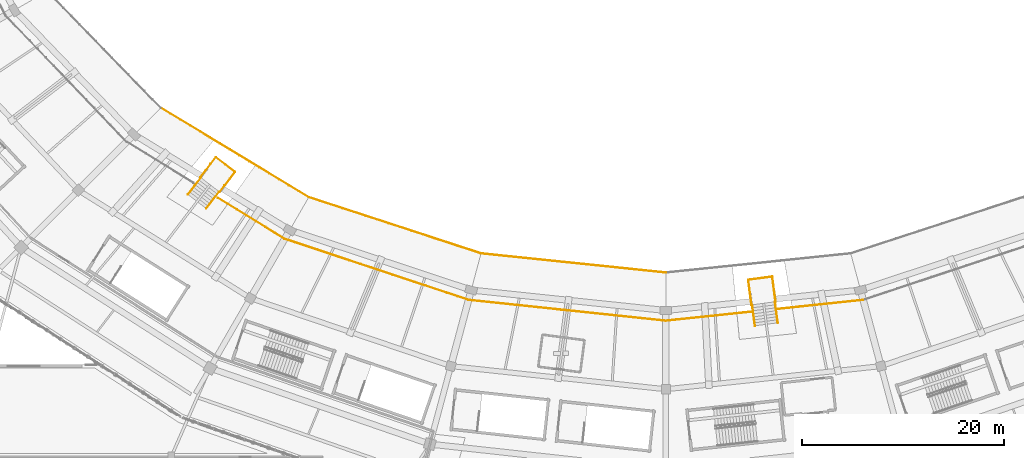
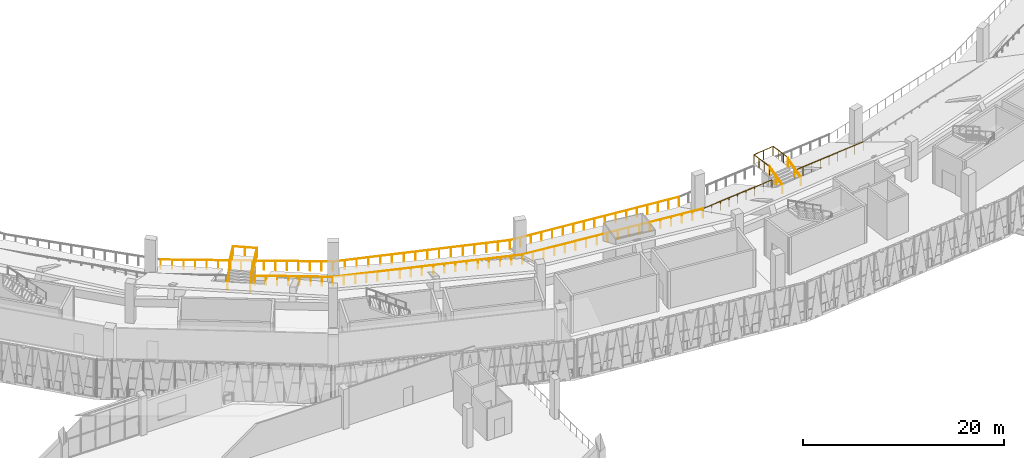
# One storey, part 119 of 152: 22 railings.
"""IFC4 building model written with IfcOpenShell, lengths in metres."""

from ifc_helpers import new_model, si_unit, direction, frame, origin, origin_2d, place, context, subcontext, project, spatial, circle, extrude, material, type_object, element, save


model = new_model("IFC4")

# Units and contexts
model_context = context("Model", 3, precision=1e-05, world=origin(), true_north=direction((0.0, 1.0)))
body_context = subcontext(model_context, "Body", "Model", "MODEL_VIEW")
ifc_project = project(units=[si_unit("LENGTHUNIT", "METRE"), si_unit("AREAUNIT", "SQUARE_METRE"), si_unit("VOLUMEUNIT", "CUBIC_METRE"), si_unit("PLANEANGLEUNIT", "RADIAN"), si_unit("MASSUNIT", "GRAM", prefix="KILO")], contexts=[model_context])

# Site, building, storey
site_placement = place(None, origin())
site = spatial("IfcSite", under=ifc_project, at=site_placement, CompositionType="ELEMENT")
building_placement = place(site_placement, origin())
building = spatial("IfcBuilding", under=site, at=building_placement, Name="Zevraka Park Crest Stadium", CompositionType="ELEMENT")
storey_placement = place(building_placement, frame((0.0, 0.0, 15.0)))
storey = spatial("IfcBuildingStorey", under=building, at=storey_placement, Name="L03", CompositionType="ELEMENT", Elevation=15.0)

# Railings
ifc_material_1 = material(Name="Galvanised and bronze-finished steel balustrade", Category="steel")
railing_type_1 = type_object("IfcRailingType", Name="GR01", PredefinedType="GUARDRAIL", material=ifc_material_1)
railing_1_placement = place(storey_placement, frame((74.23193359375, 39.593017578125, 0.0)))
element("IfcRailing", 1, at=railing_1_placement, inside=storey, type_object=railing_type_1, Name="Deck Edge Protection Guardrail GR01 L03-53", PredefinedType="GUARDRAIL", context=body_context, shape_type="SweptSolid", body=[
    extrude(circle(Radius=0.02392578125, at=origin_2d()), frame((0.0, 0.0, 1.076171875), z_axis=(0.949079002754, -0.315038166784, 0.0), x_axis=(0.315038166784, 0.949079002754, 0.0)), (0.0, 0.0, 1.0), 19.21337890625),
    extrude(circle(Radius=0.02099609375, at=origin_2d()), origin(), (0.0, 0.0, 1.0), 1.052001953125),
    extrude(circle(Radius=0.02099609375, at=origin_2d()), frame((1.07275390625, -0.35595703125, 0.0)), (0.0, 0.0, 1.0), 1.052001953125),
    extrude(circle(Radius=0.02099609375, at=origin_2d()), frame((2.145263671875, -0.712158203125, 0.0)), (0.0, 0.0, 1.0), 1.052001953125),
    extrude(circle(Radius=0.02099609375, at=origin_2d()), frame((3.218017578125, -1.068115234375, 0.0)), (0.0, 0.0, 1.0), 1.052001953125),
    extrude(circle(Radius=0.02099609375, at=origin_2d()), frame((4.29052734375, -1.42431640625, 0.0)), (0.0, 0.0, 1.0), 1.052001953125),
    extrude(circle(Radius=0.02099609375, at=origin_2d()), frame((5.36328125, -1.7802734375, 0.0)), (0.0, 0.0, 1.0), 1.052001953125),
    extrude(circle(Radius=0.02099609375, at=origin_2d()), frame((6.43603515625, -2.13623046875, 0.0)), (0.0, 0.0, 1.0), 1.052001953125),
    extrude(circle(Radius=0.02099609375, at=origin_2d()), frame((7.508544921875, -2.492431640625, 0.0)), (0.0, 0.0, 1.0), 1.052001953125),
    extrude(circle(Radius=0.02099609375, at=origin_2d()), frame((8.581298828125, -2.848388671875, 0.0)), (0.0, 0.0, 1.0), 1.052001953125),
    extrude(circle(Radius=0.02099609375, at=origin_2d()), frame((9.65380859375, -3.20458984375, 0.0)), (0.0, 0.0, 1.0), 1.052001953125),
    extrude(circle(Radius=0.02099609375, at=origin_2d()), frame((10.7265625, -3.560546875, 0.0)), (0.0, 0.0, 1.0), 1.052001953125),
    extrude(circle(Radius=0.02099609375, at=origin_2d()), frame((11.799072265625, -3.916748046875, 0.0)), (0.0, 0.0, 1.0), 1.052001953125),
    extrude(circle(Radius=0.02099609375, at=origin_2d()), frame((12.871826171875, -4.272705078125, 0.0)), (0.0, 0.0, 1.0), 1.052001953125),
    extrude(circle(Radius=0.02099609375, at=origin_2d()), frame((13.944580078125, -4.628662109375, 0.0)), (0.0, 0.0, 1.0), 1.052001953125),
    extrude(circle(Radius=0.02099609375, at=origin_2d()), frame((15.01708984375, -4.98486328125, 0.0)), (0.0, 0.0, 1.0), 1.052001953125),
    extrude(circle(Radius=0.02099609375, at=origin_2d()), frame((16.08984375, -5.3408203125, 0.0)), (0.0, 0.0, 1.0), 1.052001953125),
    extrude(circle(Radius=0.02099609375, at=origin_2d()), frame((17.162353515625, -5.697021484375, 0.0)), (0.0, 0.0, 1.0), 1.052001953125),
    extrude(circle(Radius=0.02099609375, at=origin_2d()), frame((18.235107421875, -6.052978515625, 0.0)), (0.0, 0.0, 1.0), 1.052001953125),
])
railing_2_placement = place(storey_placement, frame((92.467041015625, 33.5400390625, 0.0)))
element("IfcRailing", 2, at=railing_2_placement, inside=storey, type_object=railing_type_1, Name="Deck Edge Protection Guardrail GR01 L03-54", PredefinedType="GUARDRAIL", context=body_context, shape_type="SweptSolid", body=[
    extrude(circle(Radius=0.02392578125, at=origin_2d()), frame((0.0, 0.0, 1.076171875), z_axis=(0.994482266798, -0.104904818883, 0.0), x_axis=(0.104904818883, 0.994482266798, 0.0)), (0.0, 0.0, 1.0), 19.637451171875),
    extrude(circle(Radius=0.02099609375, at=origin_2d()), origin(), (0.0, 0.0, 1.0), 1.052001953125),
    extrude(circle(Radius=0.02099609375, at=origin_2d()), frame((1.148681640625, -0.12109375, 0.0)), (0.0, 0.0, 1.0), 1.052001953125),
    extrude(circle(Radius=0.02099609375, at=origin_2d()), frame((2.297607421875, -0.242431640625, 0.0)), (0.0, 0.0, 1.0), 1.052001953125),
    extrude(circle(Radius=0.02099609375, at=origin_2d()), frame((3.4462890625, -0.363525390625, 0.0)), (0.0, 0.0, 1.0), 1.052001953125),
    extrude(circle(Radius=0.02099609375, at=origin_2d()), frame((4.594970703125, -0.484619140625, 0.0)), (0.0, 0.0, 1.0), 1.052001953125),
    extrude(circle(Radius=0.02099609375, at=origin_2d()), frame((5.743896484375, -0.60595703125, 0.0)), (0.0, 0.0, 1.0), 1.052001953125),
    extrude(circle(Radius=0.02099609375, at=origin_2d()), frame((6.892578125, -0.72705078125, 0.0)), (0.0, 0.0, 1.0), 1.052001953125),
    extrude(circle(Radius=0.02099609375, at=origin_2d()), frame((8.041259765625, -0.84814453125, 0.0)), (0.0, 0.0, 1.0), 1.052001953125),
    extrude(circle(Radius=0.02099609375, at=origin_2d()), frame((9.190185546875, -0.969482421875, 0.0)), (0.0, 0.0, 1.0), 1.052001953125),
    extrude(circle(Radius=0.02099609375, at=origin_2d()), frame((10.3388671875, -1.090576171875, 0.0)), (0.0, 0.0, 1.0), 1.052001953125),
    extrude(circle(Radius=0.02099609375, at=origin_2d()), frame((11.48779296875, -1.2119140625, 0.0)), (0.0, 0.0, 1.0), 1.052001953125),
    extrude(circle(Radius=0.02099609375, at=origin_2d()), frame((12.636474609375, -1.3330078125, 0.0)), (0.0, 0.0, 1.0), 1.052001953125),
    extrude(circle(Radius=0.02099609375, at=origin_2d()), frame((13.78515625, -1.4541015625, 0.0)), (0.0, 0.0, 1.0), 1.052001953125),
    extrude(circle(Radius=0.02099609375, at=origin_2d()), frame((14.93408203125, -1.575439453125, 0.0)), (0.0, 0.0, 1.0), 1.052001953125),
    extrude(circle(Radius=0.02099609375, at=origin_2d()), frame((16.082763671875, -1.696533203125, 0.0)), (0.0, 0.0, 1.0), 1.052001953125),
    extrude(circle(Radius=0.02099609375, at=origin_2d()), frame((17.2314453125, -1.817626953125, 0.0)), (0.0, 0.0, 1.0), 1.052001953125),
    extrude(circle(Radius=0.02099609375, at=origin_2d()), frame((18.38037109375, -1.93896484375, 0.0)), (0.0, 0.0, 1.0), 1.052001953125),
    extrude(circle(Radius=0.02099609375, at=origin_2d()), frame((19.529052734375, -2.06005859375, 0.0)), (0.0, 0.0, 1.0), 1.052001953125),
])
railing_3_placement = place(storey_placement, frame((111.99609375, 31.47998046875, 0.0)))
element("IfcRailing", 3, at=railing_3_placement, inside=storey, type_object=railing_type_1, Name="Deck Edge Protection Guardrail GR01 L03-55", PredefinedType="GUARDRAIL", context=body_context, shape_type="SweptSolid", body=[
    extrude(circle(Radius=0.02392578125, at=origin_2d()), frame((0.0, 0.0, 1.076171875), z_axis=(0.994486553232, 0.104864176158, 0.0), x_axis=(-0.104864176158, 0.994486553232, 0.0)), (0.0, 0.0, 1.0), 8.43017578125),
    extrude(circle(Radius=0.02099609375, at=origin_2d()), origin(), (0.0, 0.0, 1.0), 1.052001953125),
    extrude(circle(Radius=0.02099609375, at=origin_2d()), frame((1.0478515625, 0.110595703125, 0.0)), (0.0, 0.0, 1.0), 1.052001953125),
    extrude(circle(Radius=0.02099609375, at=origin_2d()), frame((2.095947265625, 0.220947265625, 0.0)), (0.0, 0.0, 1.0), 1.052001953125),
    extrude(circle(Radius=0.02099609375, at=origin_2d()), frame((3.14404296875, 0.33154296875, 0.0)), (0.0, 0.0, 1.0), 1.052001953125),
    extrude(circle(Radius=0.02099609375, at=origin_2d()), frame((4.19189453125, 0.44189453125, 0.0)), (0.0, 0.0, 1.0), 1.052001953125),
    extrude(circle(Radius=0.02099609375, at=origin_2d()), frame((5.23974609375, 0.552490234375, 0.0)), (0.0, 0.0, 1.0), 1.052001953125),
    extrude(circle(Radius=0.02099609375, at=origin_2d()), frame((6.287841796875, 0.6630859375, 0.0)), (0.0, 0.0, 1.0), 1.052001953125),
    extrude(circle(Radius=0.02099609375, at=origin_2d()), frame((7.3359375, 0.7734375, 0.0)), (0.0, 0.0, 1.0), 1.052001953125),
    extrude(circle(Radius=0.02099609375, at=origin_2d()), frame((8.3837890625, 0.884033203125, 0.0)), (0.0, 0.0, 1.0), 1.052001953125),
])
railing_4_placement = place(storey_placement, frame((123.1650390625, 32.656982421875, 0.0)))
element("IfcRailing", 4, at=railing_4_placement, inside=storey, type_object=railing_type_1, Name="Deck Edge Protection Guardrail GR01 L03-56", PredefinedType="GUARDRAIL", context=body_context, shape_type="SweptSolid", body=[
    extrude(circle(Radius=0.02392578125, at=origin_2d()), frame((0.0, 0.0, 1.076171875), z_axis=(0.994458526319, 0.105129631555, 0.0), x_axis=(-0.105129631555, 0.994458526319, 0.0)), (0.0, 0.0, 1.0), 8.427490234375),
    extrude(circle(Radius=0.02099609375, at=origin_2d()), origin(), (0.0, 0.0, 1.0), 1.052001953125),
    extrude(circle(Radius=0.02099609375, at=origin_2d()), frame((1.047607421875, 0.11083984375, 0.0)), (0.0, 0.0, 1.0), 1.052001953125),
    extrude(circle(Radius=0.02099609375, at=origin_2d()), frame((2.09521484375, 0.221435546875, 0.0)), (0.0, 0.0, 1.0), 1.052001953125),
    extrude(circle(Radius=0.02099609375, at=origin_2d()), frame((3.142822265625, 0.332275390625, 0.0)), (0.0, 0.0, 1.0), 1.052001953125),
    extrude(circle(Radius=0.02099609375, at=origin_2d()), frame((4.1904296875, 0.44287109375, 0.0)), (0.0, 0.0, 1.0), 1.052001953125),
    extrude(circle(Radius=0.02099609375, at=origin_2d()), frame((5.238037109375, 0.5537109375, 0.0)), (0.0, 0.0, 1.0), 1.052001953125),
    extrude(circle(Radius=0.02099609375, at=origin_2d()), frame((6.28564453125, 0.66455078125, 0.0)), (0.0, 0.0, 1.0), 1.052001953125),
    extrude(circle(Radius=0.02099609375, at=origin_2d()), frame((7.333251953125, 0.775146484375, 0.0)), (0.0, 0.0, 1.0), 1.052001953125),
    extrude(circle(Radius=0.02099609375, at=origin_2d()), frame((8.380859375, 0.885986328125, 0.0)), (0.0, 0.0, 1.0), 1.052001953125),
])
railing_5_placement = place(storey_placement, frame((67.617919921875, 43.658935546875, 0.0)))
element("IfcRailing", 5, at=railing_5_placement, inside=storey, type_object=railing_type_1, Name="Deck Edge Protection Guardrail GR01 L03-84", PredefinedType="GUARDRAIL", context=body_context, shape_type="SweptSolid", body=[
    extrude(circle(Radius=0.02392578125, at=origin_2d()), frame((0.0, 0.0, 1.076171875), z_axis=(0.851902234175, -0.523700852975, 0.0), x_axis=(0.523700852975, 0.851902234175, 0.0)), (0.0, 0.0, 1.0), 7.763916015625),
    extrude(circle(Radius=0.02099609375, at=origin_2d()), origin(), (0.0, 0.0, 1.0), 1.052001953125),
    extrude(circle(Radius=0.02099609375, at=origin_2d()), frame((0.94482421875, -0.580810546875, 0.0)), (0.0, 0.0, 1.0), 1.052001953125),
    extrude(circle(Radius=0.02099609375, at=origin_2d()), frame((1.8896484375, -1.16162109375, 0.0)), (0.0, 0.0, 1.0), 1.052001953125),
    extrude(circle(Radius=0.02099609375, at=origin_2d()), frame((2.83447265625, -1.742431640625, 0.0)), (0.0, 0.0, 1.0), 1.052001953125),
    extrude(circle(Radius=0.02099609375, at=origin_2d()), frame((3.779541015625, -2.323486328125, 0.0)), (0.0, 0.0, 1.0), 1.052001953125),
    extrude(circle(Radius=0.02099609375, at=origin_2d()), frame((4.724365234375, -2.904296875, 0.0)), (0.0, 0.0, 1.0), 1.052001953125),
    extrude(circle(Radius=0.02099609375, at=origin_2d()), frame((5.669189453125, -3.485107421875, 0.0)), (0.0, 0.0, 1.0), 1.052001953125),
    extrude(circle(Radius=0.02099609375, at=origin_2d()), frame((6.614013671875, -4.06591796875, 0.0)), (0.0, 0.0, 1.0), 1.052001953125),
])
ifc_material_2 = material(Name="Laminated glass and stainless steel sightline bowl guard", Category="steel")
railing_type_2 = type_object("IfcRailingType", Name="GR02", PredefinedType="GUARDRAIL", material=ifc_material_2)
railing_6_placement = place(storey_placement, frame((61.971923828125, 52.5791015625, -1.5)))
element("IfcRailing", 6, at=railing_6_placement, inside=storey, type_object=railing_type_2, Name="Upper Tier Cantilever Sightline Guard GR02 15", PredefinedType="GUARDRAIL", context=body_context, shape_type="SweptSolid", body=[
    extrude(circle(Radius=0.02392578125, at=origin_2d()), frame((0.0, 0.0, 1.09619140625), z_axis=(0.855729194153, -0.517423952165, 0.0), x_axis=(0.517423952165, 0.855729194153, 0.0)), (0.0, 0.0, 1.0), 17.12353515625),
    extrude(circle(Radius=0.02099609375, at=origin_2d()), origin(), (0.0, 0.0, 1.0), 1.072021484375),
    extrude(circle(Radius=0.02099609375, at=origin_2d()), frame((0.976806640625, -0.590576171875, 0.0)), (0.0, 0.0, 1.0), 1.072021484375),
    extrude(circle(Radius=0.02099609375, at=origin_2d()), frame((1.953857421875, -1.181396484375, 0.0)), (0.0, 0.0, 1.0), 1.072021484375),
    extrude(circle(Radius=0.02099609375, at=origin_2d()), frame((2.9306640625, -1.77197265625, 0.0)), (0.0, 0.0, 1.0), 1.072021484375),
    extrude(circle(Radius=0.02099609375, at=origin_2d()), frame((3.907470703125, -2.36279296875, 0.0)), (0.0, 0.0, 1.0), 1.072021484375),
    extrude(circle(Radius=0.02099609375, at=origin_2d()), frame((4.88427734375, -2.953369140625, 0.0)), (0.0, 0.0, 1.0), 1.072021484375),
    extrude(circle(Radius=0.02099609375, at=origin_2d()), frame((5.861328125, -3.5439453125, 0.0)), (0.0, 0.0, 1.0), 1.072021484375),
    extrude(circle(Radius=0.02099609375, at=origin_2d()), frame((6.838134765625, -4.134765625, 0.0)), (0.0, 0.0, 1.0), 1.072021484375),
    extrude(circle(Radius=0.02099609375, at=origin_2d()), frame((7.81494140625, -4.725341796875, 0.0)), (0.0, 0.0, 1.0), 1.072021484375),
    extrude(circle(Radius=0.02099609375, at=origin_2d()), frame((8.791748046875, -5.316162109375, 0.0)), (0.0, 0.0, 1.0), 1.072021484375),
    extrude(circle(Radius=0.02099609375, at=origin_2d()), frame((9.768798828125, -5.90673828125, 0.0)), (0.0, 0.0, 1.0), 1.072021484375),
    extrude(circle(Radius=0.02099609375, at=origin_2d()), frame((10.74560546875, -6.497314453125, 0.0)), (0.0, 0.0, 1.0), 1.072021484375),
    extrude(circle(Radius=0.02099609375, at=origin_2d()), frame((11.722412109375, -7.088134765625, 0.0)), (0.0, 0.0, 1.0), 1.072021484375),
    extrude(circle(Radius=0.02099609375, at=origin_2d()), frame((12.69921875, -7.6787109375, 0.0)), (0.0, 0.0, 1.0), 1.072021484375),
    extrude(circle(Radius=0.02099609375, at=origin_2d()), frame((13.67626953125, -8.26953125, 0.0)), (0.0, 0.0, 1.0), 1.072021484375),
    extrude(circle(Radius=0.02099609375, at=origin_2d()), frame((14.653076171875, -8.860107421875, 0.0)), (0.0, 0.0, 1.0), 1.072021484375),
])
railing_7_placement = place(storey_placement, frame((76.625, 43.718994140625, -1.5)))
element("IfcRailing", 7, at=railing_7_placement, inside=storey, type_object=railing_type_2, Name="Upper Tier Cantilever Sightline Guard GR02 16", PredefinedType="GUARDRAIL", context=body_context, shape_type="SweptSolid", body=[
    extrude(circle(Radius=0.02392578125, at=origin_2d()), frame((0.0, 0.0, 1.09619140625), z_axis=(0.950651722205, -0.310260057161, 0.0), x_axis=(0.310260057161, 0.950651722205, 0.0)), (0.0, 0.0, 1.0), 17.94970703125),
    extrude(circle(Radius=0.02099609375, at=origin_2d()), origin(), (0.0, 0.0, 1.0), 1.072021484375),
    extrude(circle(Radius=0.02099609375, at=origin_2d()), frame((1.1376953125, -0.371337890625, 0.0)), (0.0, 0.0, 1.0), 1.072021484375),
    extrude(circle(Radius=0.02099609375, at=origin_2d()), frame((2.275146484375, -0.742431640625, 0.0)), (0.0, 0.0, 1.0), 1.072021484375),
    extrude(circle(Radius=0.02099609375, at=origin_2d()), frame((3.412841796875, -1.11376953125, 0.0)), (0.0, 0.0, 1.0), 1.072021484375),
    extrude(circle(Radius=0.02099609375, at=origin_2d()), frame((4.55029296875, -1.485107421875, 0.0)), (0.0, 0.0, 1.0), 1.072021484375),
    extrude(circle(Radius=0.02099609375, at=origin_2d()), frame((5.68798828125, -1.8564453125, 0.0)), (0.0, 0.0, 1.0), 1.072021484375),
    extrude(circle(Radius=0.02099609375, at=origin_2d()), frame((6.82568359375, -2.2275390625, 0.0)), (0.0, 0.0, 1.0), 1.072021484375),
    extrude(circle(Radius=0.02099609375, at=origin_2d()), frame((7.963134765625, -2.598876953125, 0.0)), (0.0, 0.0, 1.0), 1.072021484375),
    extrude(circle(Radius=0.02099609375, at=origin_2d()), frame((9.100830078125, -2.97021484375, 0.0)), (0.0, 0.0, 1.0), 1.072021484375),
    extrude(circle(Radius=0.02099609375, at=origin_2d()), frame((10.23828125, -3.341552734375, 0.0)), (0.0, 0.0, 1.0), 1.072021484375),
    extrude(circle(Radius=0.02099609375, at=origin_2d()), frame((11.3759765625, -3.712646484375, 0.0)), (0.0, 0.0, 1.0), 1.072021484375),
    extrude(circle(Radius=0.02099609375, at=origin_2d()), frame((12.513671875, -4.083984375, 0.0)), (0.0, 0.0, 1.0), 1.072021484375),
    extrude(circle(Radius=0.02099609375, at=origin_2d()), frame((13.651123046875, -4.455322265625, 0.0)), (0.0, 0.0, 1.0), 1.072021484375),
    extrude(circle(Radius=0.02099609375, at=origin_2d()), frame((14.788818359375, -4.82666015625, 0.0)), (0.0, 0.0, 1.0), 1.072021484375),
    extrude(circle(Radius=0.02099609375, at=origin_2d()), frame((15.92626953125, -5.19775390625, 0.0)), (0.0, 0.0, 1.0), 1.072021484375),
    extrude(circle(Radius=0.02099609375, at=origin_2d()), frame((17.06396484375, -5.569091796875, 0.0)), (0.0, 0.0, 1.0), 1.072021484375),
])
railing_8_placement = place(storey_placement, frame((93.68896484375, 38.14990234375, -1.5)))
element("IfcRailing", 8, at=railing_8_placement, inside=storey, type_object=railing_type_2, Name="Upper Tier Cantilever Sightline Guard GR02 17", PredefinedType="GUARDRAIL", context=body_context, shape_type="SweptSolid", body=[
    extrude(circle(Radius=0.02392578125, at=origin_2d()), frame((0.0, 0.0, 1.09619140625), z_axis=(0.994660293525, -0.103203199971, 0.0), x_axis=(0.103203199971, 0.994660293525, 0.0)), (0.0, 0.0, 1.0), 18.409423828125),
    extrude(circle(Radius=0.02099609375, at=origin_2d()), origin(), (0.0, 0.0, 1.0), 1.072021484375),
    extrude(circle(Radius=0.02099609375, at=origin_2d()), frame((1.14453125, -0.11865234375, 0.0)), (0.0, 0.0, 1.0), 1.072021484375),
    extrude(circle(Radius=0.02099609375, at=origin_2d()), frame((2.288818359375, -0.237548828125, 0.0)), (0.0, 0.0, 1.0), 1.072021484375),
    extrude(circle(Radius=0.02099609375, at=origin_2d()), frame((3.433349609375, -0.356201171875, 0.0)), (0.0, 0.0, 1.0), 1.072021484375),
    extrude(circle(Radius=0.02099609375, at=origin_2d()), frame((4.57763671875, -0.47509765625, 0.0)), (0.0, 0.0, 1.0), 1.072021484375),
    extrude(circle(Radius=0.02099609375, at=origin_2d()), frame((5.72216796875, -0.59375, 0.0)), (0.0, 0.0, 1.0), 1.072021484375),
    extrude(circle(Radius=0.02099609375, at=origin_2d()), frame((6.86669921875, -0.71240234375, 0.0)), (0.0, 0.0, 1.0), 1.072021484375),
    extrude(circle(Radius=0.02099609375, at=origin_2d()), frame((8.010986328125, -0.831298828125, 0.0)), (0.0, 0.0, 1.0), 1.072021484375),
    extrude(circle(Radius=0.02099609375, at=origin_2d()), frame((9.155517578125, -0.949951171875, 0.0)), (0.0, 0.0, 1.0), 1.072021484375),
    extrude(circle(Radius=0.02099609375, at=origin_2d()), frame((10.300048828125, -1.068603515625, 0.0)), (0.0, 0.0, 1.0), 1.072021484375),
    extrude(circle(Radius=0.02099609375, at=origin_2d()), frame((11.4443359375, -1.1875, 0.0)), (0.0, 0.0, 1.0), 1.072021484375),
    extrude(circle(Radius=0.02099609375, at=origin_2d()), frame((12.5888671875, -1.30615234375, 0.0)), (0.0, 0.0, 1.0), 1.072021484375),
    extrude(circle(Radius=0.02099609375, at=origin_2d()), frame((13.7333984375, -1.4248046875, 0.0)), (0.0, 0.0, 1.0), 1.072021484375),
    extrude(circle(Radius=0.02099609375, at=origin_2d()), frame((14.877685546875, -1.543701171875, 0.0)), (0.0, 0.0, 1.0), 1.072021484375),
    extrude(circle(Radius=0.02099609375, at=origin_2d()), frame((16.022216796875, -1.662353515625, 0.0)), (0.0, 0.0, 1.0), 1.072021484375),
    extrude(circle(Radius=0.02099609375, at=origin_2d()), frame((17.16650390625, -1.78125, 0.0)), (0.0, 0.0, 1.0), 1.072021484375),
    extrude(circle(Radius=0.02099609375, at=origin_2d()), frame((18.31103515625, -1.89990234375, 0.0)), (0.0, 0.0, 1.0), 1.072021484375),
])
ifc_material_3 = material(Name="Powder-coated tubular steel stairwell guard", Category="steel")
railing_type_3 = type_object("IfcRailingType", Name="GR03", PredefinedType="GUARDRAIL", material=ifc_material_3)
railing_9_placement = place(storey_placement, frame((66.47802734375, 42.60107421875, 0.14990234375)))
element("IfcRailing", 9, at=railing_9_placement, inside=storey, type_object=railing_type_3, Name="Vomitory Flight Guard VS-14-1", PredefinedType="GUARDRAIL", context=body_context, shape_type="SweptSolid", body=[
    extrude(circle(Radius=0.02392578125, at=origin_2d()), frame((0.0, 0.0, 1.076171875), z_axis=(0.5446878967, 0.709477038954, 0.447165994218), x_axis=(-0.793198338244, 0.608963378379, 0.0)), (0.0, 0.0, 1.0), 2.34814453125),
    extrude(circle(Radius=0.02099609375, at=origin_2d()), origin(), (0.0, 0.0, 1.0), 1.052001953125),
    extrude(circle(Radius=0.02099609375, at=origin_2d()), frame((0.6396484375, 0.8330078125, 0.52490234375)), (0.0, 0.0, 1.0), 1.052001953125),
    extrude(circle(Radius=0.02099609375, at=origin_2d()), frame((1.279052734375, 1.666015625, 1.050048828125)), (0.0, 0.0, 1.0), 1.052001953125),
])
railing_10_placement = place(storey_placement, frame((64.669921875, 43.989013671875, 0.14990234375)))
element("IfcRailing", 10, at=railing_10_placement, inside=storey, type_object=railing_type_3, Name="Vomitory Flight Guard VS-14-2", PredefinedType="GUARDRAIL", context=body_context, shape_type="SweptSolid", body=[
    extrude(circle(Radius=0.02392578125, at=origin_2d()), frame((0.0, 0.0, 1.076171875), z_axis=(0.544395308495, 0.709637743108, 0.447267282108), x_axis=(-0.793422930273, 0.608670726844, 0.0)), (0.0, 0.0, 1.0), 2.34765625),
    extrude(circle(Radius=0.02099609375, at=origin_2d()), origin(), (0.0, 0.0, 1.0), 1.052001953125),
    extrude(circle(Radius=0.02099609375, at=origin_2d()), frame((0.63916015625, 0.8330078125, 0.52490234375)), (0.0, 0.0, 1.0), 1.052001953125),
    extrude(circle(Radius=0.02099609375, at=origin_2d()), frame((1.278076171875, 1.666015625, 1.050048828125)), (0.0, 0.0, 1.0), 1.052001953125),
])
railing_11_placement = place(storey_placement, frame((67.7890625, 44.2109375, 1.199951171875)))
element("IfcRailing", 11, at=railing_11_placement, inside=storey, type_object=railing_type_3, Name="Vomitory Landing Guard VS-14-1", PredefinedType="GUARDRAIL", context=body_context, shape_type="SweptSolid", body=[
    extrude(circle(Radius=0.02392578125, at=origin_2d()), frame((0.0, 0.0, 1.076171875), z_axis=(0.608705560233, 0.793396206785, 0.0), x_axis=(-0.793396206785, 0.608705560233, 0.0)), (0.0, 0.0, 1.0), 2.52490234375),
    extrude(circle(Radius=0.02099609375, at=origin_2d()), origin(), (0.0, 0.0, 1.0), 1.052001953125),
    extrude(circle(Radius=0.02099609375, at=origin_2d()), frame((0.51220703125, 0.667724609375, 0.0)), (0.0, 0.0, 1.0), 1.052001953125),
    extrude(circle(Radius=0.02099609375, at=origin_2d()), frame((1.024658203125, 1.33544921875, 0.0)), (0.0, 0.0, 1.0), 1.052001953125),
    extrude(circle(Radius=0.02099609375, at=origin_2d()), frame((1.536865234375, 2.003173828125, 0.0)), (0.0, 0.0, 1.0), 1.052001953125),
])
railing_12_placement = place(storey_placement, frame((69.325927734375, 46.214111328125, 1.199951171875)))
element("IfcRailing", 12, at=railing_12_placement, inside=storey, type_object=railing_type_3, Name="Vomitory Landing Guard VS-14-2", PredefinedType="GUARDRAIL", context=body_context, shape_type="SweptSolid", body=[
    extrude(circle(Radius=0.02392578125, at=origin_2d()), frame((0.0, 0.0, 1.076171875), z_axis=(-0.793334464988, 0.608786026993, 0.0), x_axis=(-0.608786026993, -0.793334464988, 0.0)), (0.0, 0.0, 1.0), 2.399658203125),
    extrude(circle(Radius=0.02099609375, at=origin_2d()), origin(), (0.0, 0.0, 1.0), 1.052001953125),
    extrude(circle(Radius=0.02099609375, at=origin_2d()), frame((-0.951904296875, 0.73046875, 0.0)), (0.0, 0.0, 1.0), 1.052001953125),
    extrude(circle(Radius=0.02099609375, at=origin_2d()), frame((-1.90380859375, 1.4609375, 0.0)), (0.0, 0.0, 1.0), 1.052001953125),
])
railing_13_placement = place(storey_placement, frame((67.422119140625, 47.675048828125, 1.199951171875)))
element("IfcRailing", 13, at=railing_13_placement, inside=storey, type_object=railing_type_3, Name="Vomitory Landing Guard VS-14-3", PredefinedType="GUARDRAIL", context=body_context, shape_type="SweptSolid", body=[
    extrude(circle(Radius=0.02392578125, at=origin_2d()), frame((0.0, 0.0, 1.076171875), z_axis=(-0.608813124087, -0.793313670586, 0.0), x_axis=(0.793313670586, -0.608813124087, 0.0)), (0.0, 0.0, 1.0), 2.524658203125),
    extrude(circle(Radius=0.02099609375, at=origin_2d()), origin(), (0.0, 0.0, 1.0), 1.052001953125),
    extrude(circle(Radius=0.02099609375, at=origin_2d()), frame((-0.512451171875, -0.667724609375, 0.0)), (0.0, 0.0, 1.0), 1.052001953125),
    extrude(circle(Radius=0.02099609375, at=origin_2d()), frame((-1.024658203125, -1.335205078125, 0.0)), (0.0, 0.0, 1.0), 1.052001953125),
    extrude(circle(Radius=0.02099609375, at=origin_2d()), frame((-1.537109375, -2.0029296875, 0.0)), (0.0, 0.0, 1.0), 1.052001953125),
])
railing_14_placement = place(storey_placement, frame((123.083984375, 31.282958984375, 0.14990234375)))
element("IfcRailing", 14, at=railing_14_placement, inside=storey, type_object=railing_type_3, Name="Vomitory Flight Guard VS-15-1", PredefinedType="GUARDRAIL", context=body_context, shape_type="SweptSolid", body=[
    extrude(circle(Radius=0.02392578125, at=origin_2d()), frame((0.0, 0.0, 1.076171875), z_axis=(-0.116669926107, 0.886774625528, 0.447234716744), x_axis=(-0.9914558783, -0.13044248305, 0.0)), (0.0, 0.0, 1.0), 2.347900390625),
    extrude(circle(Radius=0.02099609375, at=origin_2d()), origin(), (0.0, 0.0, 1.0), 1.052001953125),
    extrude(circle(Radius=0.02099609375, at=origin_2d()), frame((-0.136962890625, 1.041015625, 0.52490234375)), (0.0, 0.0, 1.0), 1.052001953125),
    extrude(circle(Radius=0.02099609375, at=origin_2d()), frame((-0.27392578125, 2.08203125, 1.050048828125)), (0.0, 0.0, 1.0), 1.052001953125),
])
railing_15_placement = place(storey_placement, frame((120.823974609375, 30.985107421875, 0.14990234375)))
element("IfcRailing", 15, at=railing_15_placement, inside=storey, type_object=railing_type_3, Name="Vomitory Flight Guard VS-15-2", PredefinedType="GUARDRAIL", context=body_context, shape_type="SweptSolid", body=[
    extrude(circle(Radius=0.02392578125, at=origin_2d()), frame((0.0, 0.0, 1.076171875), z_axis=(-0.116680685131, 0.886752408297, 0.447275959668), x_axis=(-0.991453899785, -0.130457520295, 0.0)), (0.0, 0.0, 1.0), 2.34765625),
    extrude(circle(Radius=0.02099609375, at=origin_2d()), origin(), (0.0, 0.0, 1.0), 1.052001953125),
    extrude(circle(Radius=0.02099609375, at=origin_2d()), frame((-0.136962890625, 1.041015625, 0.52490234375)), (0.0, 0.0, 1.0), 1.052001953125),
    extrude(circle(Radius=0.02099609375, at=origin_2d()), frame((-0.27392578125, 2.081787109375, 1.050048828125)), (0.0, 0.0, 1.0), 1.052001953125),
])
railing_16_placement = place(storey_placement, frame((122.873046875, 33.347900390625, 1.199951171875)))
element("IfcRailing", 16, at=railing_16_placement, inside=storey, type_object=railing_type_3, Name="Vomitory Landing Guard VS-15-1", PredefinedType="GUARDRAIL", context=body_context, shape_type="SweptSolid", body=[
    extrude(circle(Radius=0.02392578125, at=origin_2d()), frame((0.0, 0.0, 1.076171875), z_axis=(-0.130732152868, 0.991417724376, 0.0), x_axis=(-0.991417724376, -0.130732152868, 0.0)), (0.0, 0.0, 1.0), 2.52490234375),
    extrude(circle(Radius=0.02099609375, at=origin_2d()), origin(), (0.0, 0.0, 1.0), 1.052001953125),
    extrude(circle(Radius=0.02099609375, at=origin_2d()), frame((-0.110107421875, 0.83447265625, 0.0)), (0.0, 0.0, 1.0), 1.052001953125),
    extrude(circle(Radius=0.02099609375, at=origin_2d()), frame((-0.219970703125, 1.668701171875, 0.0)), (0.0, 0.0, 1.0), 1.052001953125),
    extrude(circle(Radius=0.02099609375, at=origin_2d()), frame((-0.330078125, 2.503173828125, 0.0)), (0.0, 0.0, 1.0), 1.052001953125),
])
railing_17_placement = place(storey_placement, frame((122.54296875, 35.85107421875, 1.199951171875)))
element("IfcRailing", 17, at=railing_17_placement, inside=storey, type_object=railing_type_3, Name="Vomitory Landing Guard VS-15-2", PredefinedType="GUARDRAIL", context=body_context, shape_type="SweptSolid", body=[
    extrude(circle(Radius=0.02392578125, at=origin_2d()), frame((0.0, 0.0, 1.076171875), z_axis=(-0.991455680788, -0.130443984274, 0.0), x_axis=(0.130443984274, -0.991455680788, 0.0)), (0.0, 0.0, 1.0), 2.3994140625),
    extrude(circle(Radius=0.02099609375, at=origin_2d()), origin(), (0.0, 0.0, 1.0), 1.052001953125),
    extrude(circle(Radius=0.02099609375, at=origin_2d()), frame((-1.189453125, -0.156494140625, 0.0)), (0.0, 0.0, 1.0), 1.052001953125),
    extrude(circle(Radius=0.02099609375, at=origin_2d()), frame((-2.37890625, -0.31298828125, 0.0)), (0.0, 0.0, 1.0), 1.052001953125),
])
railing_18_placement = place(storey_placement, frame((120.1640625, 35.5380859375, 1.199951171875)))
element("IfcRailing", 18, at=railing_18_placement, inside=storey, type_object=railing_type_3, Name="Vomitory Landing Guard VS-15-3", PredefinedType="GUARDRAIL", context=body_context, shape_type="SweptSolid", body=[
    extrude(circle(Radius=0.02392578125, at=origin_2d()), frame((0.0, 0.0, 1.076171875), z_axis=(0.130256894021, -0.991480277948, 0.0), x_axis=(0.991480277948, 0.130256894021, 0.0)), (0.0, 0.0, 1.0), 2.524658203125),
    extrude(circle(Radius=0.02099609375, at=origin_2d()), origin(), (0.0, 0.0, 1.0), 1.052001953125),
    extrude(circle(Radius=0.02099609375, at=origin_2d()), frame((0.109619140625, -0.83447265625, 0.0)), (0.0, 0.0, 1.0), 1.052001953125),
    extrude(circle(Radius=0.02099609375, at=origin_2d()), frame((0.21923828125, -1.668701171875, 0.0)), (0.0, 0.0, 1.0), 1.052001953125),
    extrude(circle(Radius=0.02099609375, at=origin_2d()), frame((0.328857421875, -2.503173828125, 0.0)), (0.0, 0.0, 1.0), 1.052001953125),
])
ifc_material_4 = material(Name="Brushed stainless steel continuous handrail", Category="steel")
railing_type_4 = type_object("IfcRailingType", Name="HR01", PredefinedType="HANDRAIL", material=ifc_material_4)
railing_19_placement = place(storey_placement, frame((66.47802734375, 42.60107421875, 0.14990234375)))
element("IfcRailing", 19, at=railing_19_placement, inside=storey, type_object=railing_type_4, Name="Vomitory Handrail VS-14-1", PredefinedType="HANDRAIL", context=body_context, shape_type="SweptSolid", body=[
    extrude(circle(Radius=0.02392578125, at=origin_2d()), frame((0.0, 0.0, 0.8759765625), z_axis=(0.5446878967, 0.709477038954, 0.447165994218), x_axis=(-0.793198338244, 0.608963378379, 0.0)), (0.0, 0.0, 1.0), 2.34814453125),
    extrude(circle(Radius=0.02099609375, at=origin_2d()), origin(), (0.0, 0.0, 1.0), 0.851806640625),
    extrude(circle(Radius=0.02099609375, at=origin_2d()), frame((0.6396484375, 0.8330078125, 0.52490234375)), (0.0, 0.0, 1.0), 0.851806640625),
    extrude(circle(Radius=0.02099609375, at=origin_2d()), frame((1.279052734375, 1.666015625, 1.050048828125)), (0.0, 0.0, 1.0), 0.851806640625),
])
railing_20_placement = place(storey_placement, frame((64.669921875, 43.989013671875, 0.14990234375)))
element("IfcRailing", 20, at=railing_20_placement, inside=storey, type_object=railing_type_4, Name="Vomitory Handrail VS-14-2", PredefinedType="HANDRAIL", context=body_context, shape_type="SweptSolid", body=[
    extrude(circle(Radius=0.02392578125, at=origin_2d()), frame((0.0, 0.0, 0.8759765625), z_axis=(0.544395308495, 0.709637743108, 0.447267282108), x_axis=(-0.793422930273, 0.608670726844, 0.0)), (0.0, 0.0, 1.0), 2.34765625),
    extrude(circle(Radius=0.02099609375, at=origin_2d()), origin(), (0.0, 0.0, 1.0), 0.851806640625),
    extrude(circle(Radius=0.02099609375, at=origin_2d()), frame((0.63916015625, 0.8330078125, 0.52490234375)), (0.0, 0.0, 1.0), 0.851806640625),
    extrude(circle(Radius=0.02099609375, at=origin_2d()), frame((1.278076171875, 1.666015625, 1.050048828125)), (0.0, 0.0, 1.0), 0.851806640625),
])
railing_21_placement = place(storey_placement, frame((123.083984375, 31.282958984375, 0.14990234375)))
element("IfcRailing", 21, at=railing_21_placement, inside=storey, type_object=railing_type_4, Name="Vomitory Handrail VS-15-1", PredefinedType="HANDRAIL", context=body_context, shape_type="SweptSolid", body=[
    extrude(circle(Radius=0.02392578125, at=origin_2d()), frame((0.0, 0.0, 0.8759765625), z_axis=(-0.116669926107, 0.886774625528, 0.447234716744), x_axis=(-0.9914558783, -0.13044248305, 0.0)), (0.0, 0.0, 1.0), 2.347900390625),
    extrude(circle(Radius=0.02099609375, at=origin_2d()), origin(), (0.0, 0.0, 1.0), 0.851806640625),
    extrude(circle(Radius=0.02099609375, at=origin_2d()), frame((-0.136962890625, 1.041015625, 0.52490234375)), (0.0, 0.0, 1.0), 0.851806640625),
    extrude(circle(Radius=0.02099609375, at=origin_2d()), frame((-0.27392578125, 2.08203125, 1.050048828125)), (0.0, 0.0, 1.0), 0.851806640625),
])
railing_22_placement = place(storey_placement, frame((120.823974609375, 30.985107421875, 0.14990234375)))
element("IfcRailing", 22, at=railing_22_placement, inside=storey, type_object=railing_type_4, Name="Vomitory Handrail VS-15-2", PredefinedType="HANDRAIL", context=body_context, shape_type="SweptSolid", body=[
    extrude(circle(Radius=0.02392578125, at=origin_2d()), frame((0.0, 0.0, 0.8759765625), z_axis=(-0.116680685131, 0.886752408297, 0.447275959668), x_axis=(-0.991453899785, -0.130457520295, 0.0)), (0.0, 0.0, 1.0), 2.34765625),
    extrude(circle(Radius=0.02099609375, at=origin_2d()), origin(), (0.0, 0.0, 1.0), 0.851806640625),
    extrude(circle(Radius=0.02099609375, at=origin_2d()), frame((-0.136962890625, 1.041015625, 0.52490234375)), (0.0, 0.0, 1.0), 0.851806640625),
    extrude(circle(Radius=0.02099609375, at=origin_2d()), frame((-0.27392578125, 2.081787109375, 1.050048828125)), (0.0, 0.0, 1.0), 0.851806640625),
])

save(model, "model.ifc")
